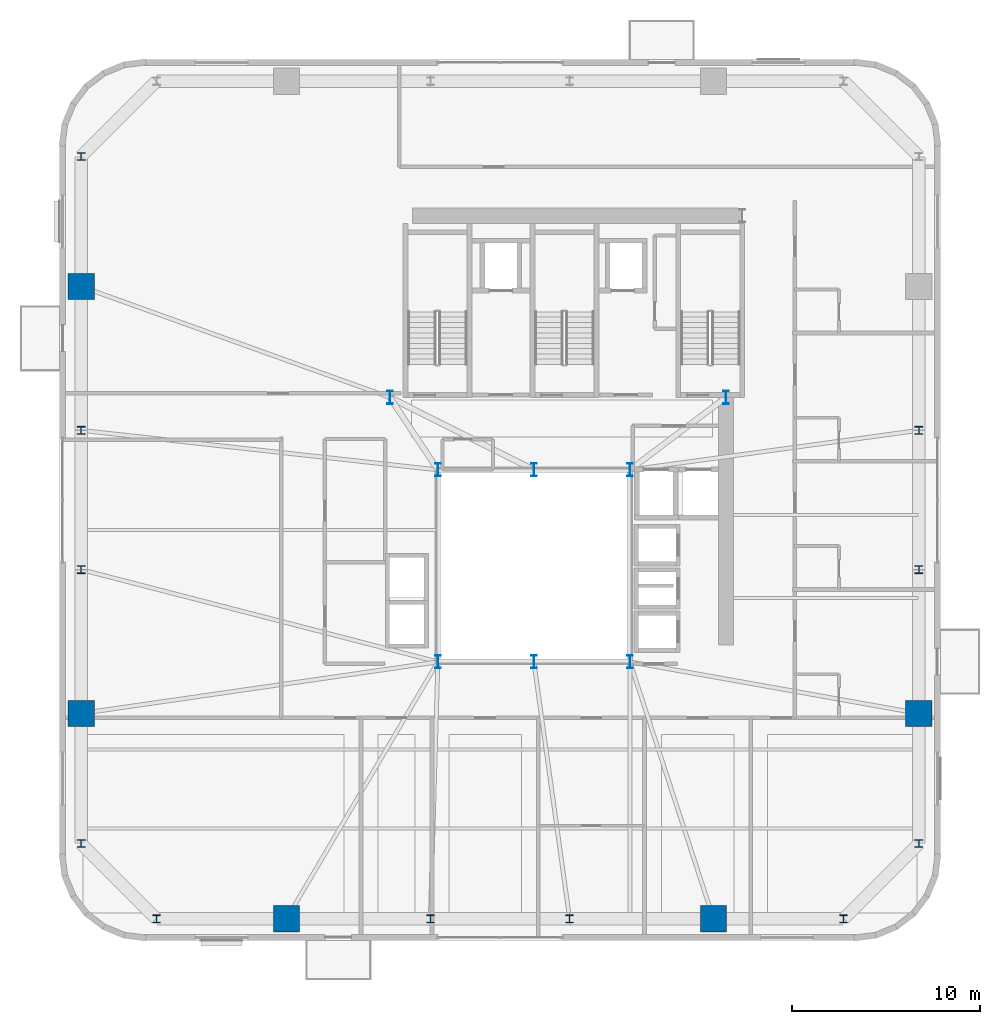
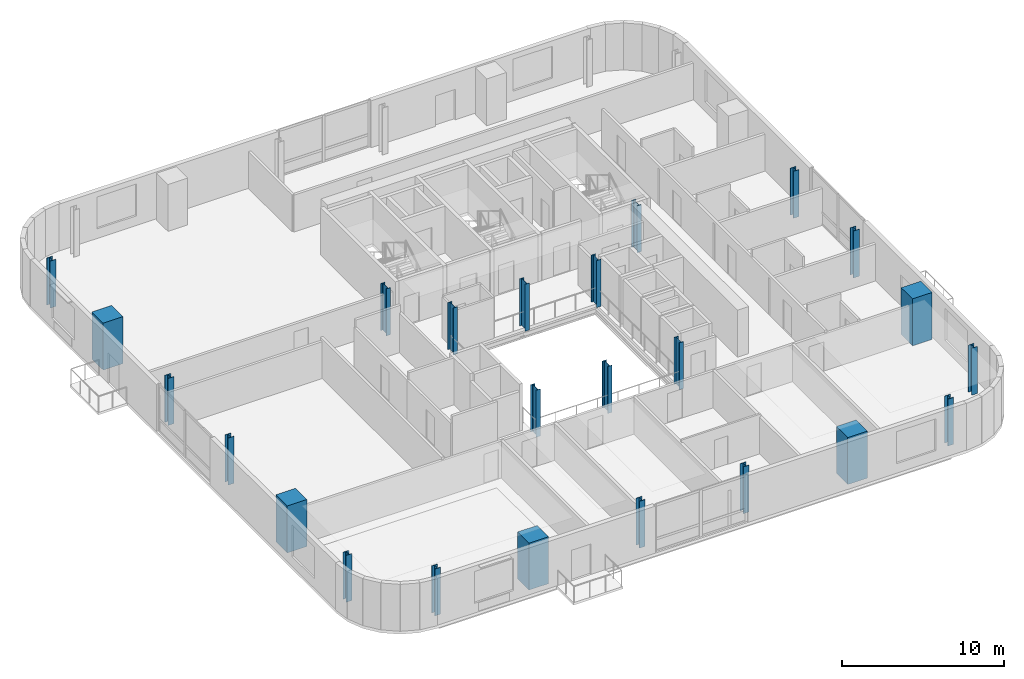
# One storey, part 1 of 16: 24 columns.
"""IFC4 building model written with IfcOpenShell, lengths in metres."""

from ifc_helpers import new_model, si_unit, direction, frame, origin, origin_2d, place, context, subcontext, project, spatial, rectangle, i_section, extrude, source, transform, mapped, material, material_profile, profile_set, type_object, element, save


model = new_model("IFC4")

# Units and contexts
model_context = context("Model", 3, precision=1e-05, world=origin(), true_north=direction((0.0, 1.0)))
body_context = subcontext(model_context, "Body", "Model", "MODEL_VIEW")
ifc_project = project(units=[si_unit("LENGTHUNIT", "METRE"), si_unit("AREAUNIT", "SQUARE_METRE"), si_unit("VOLUMEUNIT", "CUBIC_METRE"), si_unit("PLANEANGLEUNIT", "RADIAN"), si_unit("MASSUNIT", "GRAM", prefix="KILO")], contexts=[model_context])

# Site, building, storey
site_placement = place(None, origin())
site = spatial("IfcSite", under=ifc_project, at=site_placement, CompositionType="ELEMENT")
building_placement = place(site_placement, origin())
building = spatial("IfcBuilding", under=site, at=building_placement, Name="Vardaveli Station Tower", CompositionType="ELEMENT")
storey_placement = place(building_placement, frame((0.0, 0.0, 226.050048828125)))
storey = spatial("IfcBuildingStorey", under=building, at=storey_placement, Name="L58", CompositionType="ELEMENT", Elevation=226.050048828125)

# Columns
ifc_material_1 = material(Name="Structural steel S460M", Category="steel")
ifc_material_profile_1 = material_profile(ifc_material_1, i_section(OverallWidth=0.300048828125, OverallDepth=0.699951171875, WebThickness=0.01708984375, FlangeThickness=0.031982421875, FilletRadius=0.027099609375, at=origin_2d()), Name="HEB 700")
ifc_profile_set_1 = profile_set([ifc_material_profile_1], Name="Structural steel S460M")
column_type_1 = type_object("IfcColumnType", Name="COL-HEB700", PredefinedType="COLUMN", material=ifc_profile_set_1)
shared_shape_1 = source(origin(), body_context, "Body", "SweptSolid", [
    extrude(i_section(OverallWidth=0.300048828125, OverallDepth=0.699951171875, WebThickness=0.01708984375, FlangeThickness=0.031982421875, FilletRadius=0.027099609375, at=origin_2d()), origin(), (0.0, 0.0, 1.0), 3.530029296875),
])
for number, where, z_axis, x_axis, name in (
    (1, (31.199951171875, 16.60009765625, 0.0), (0.0, 0.0, 1.0), (1.0, 0.0, 0.0), "COL-L58-AC1"),
    (2, (36.300048828125, 16.60009765625, 0.0), (0.0, 0.0, 1.0), (1.0, 0.0, 0.0), "COL-L58-AC2"),
    (3, (41.39990234375, 16.60009765625, 0.0), (0.0, 0.0, 1.0), (1.0, 0.0, 0.0), "COL-L58-AC3"),
    (4, (41.39990234375, 26.800048828125, 0.0), (0.0, 0.0, 1.0), (1.0, 0.0, 0.0), "COL-L58-AC4"),
    (5, (36.300048828125, 26.800048828125, 0.0), (0.0, 0.0, 1.0), (1.0, 0.0, 0.0), "COL-L58-AC5"),
    (6, (31.199951171875, 26.800048828125, 0.0), (0.0, 0.0, 1.0), (1.0, 0.0, 0.0), "COL-L58-AC6"),
    (7, (28.64990234375, 30.64990234375, 0.0), (0.0, 0.0, 1.0), (1.0, 0.0, 0.0), "COL-L58-CC1"),
    (8, (46.5, 30.64990234375, 0.0), (0.0, 0.0, 1.0), (1.0, 0.0, 0.0), "COL-L58-CC2"),
):
    element("IfcColumn", number, at=place(storey_placement, frame(where, z_axis=z_axis, x_axis=x_axis)), inside=storey, type_object=column_type_1, Name=name, PredefinedType="COLUMN", context=body_context, shape_type="MappedRepresentation", body=[
        mapped(shared_shape_1, transform((0.0, 0.0, 0.0), scale=1.0)),
    ])
ifc_material_2 = material(Name="Concrete C50/60", Category="concrete")
ifc_material_profile_2 = material_profile(ifc_material_2, rectangle(XDim=1.39990234375, YDim=1.39990234375, at=origin_2d()), Name="MC 1400x1400")
ifc_profile_set_2 = profile_set([ifc_material_profile_2], Name="Concrete C50/60")
column_type_2 = type_object("IfcColumnType", Name="COL-MC-1400", PredefinedType="COLUMN", material=ifc_profile_set_2)
shared_shape_2 = source(origin(), body_context, "Body", "SweptSolid", [
    extrude(rectangle(XDim=1.39990234375, YDim=1.39990234375, at=origin_2d()), origin(), (0.0, 0.0, 1.0), 3.530029296875),
])
for number, where, z_axis, x_axis, name in (
    (9, (23.159912109375, 2.949951171875, 0.0), (0.0, 0.0, 1.0), (1.0, 0.0, 0.0), "COL-L58-MC1"),
    (10, (45.840087890625, 2.949951171875, 0.0), (0.0, 0.0, 1.0), (1.0, 0.0, 0.0), "COL-L58-MC2"),
    (11, (56.75, 13.860107421875, 0.0), (0.0, 0.0, 1.0), (1.0, 0.0, 0.0), "COL-L58-MC3"),
    (12, (12.25, 36.5400390625, 0.0), (0.0, 0.0, 1.0), (1.0, 0.0, 0.0), "COL-L58-MC7"),
    (13, (12.25, 13.860107421875, 0.0), (0.0, 0.0, 1.0), (1.0, 0.0, 0.0), "COL-L58-MC8"),
):
    element("IfcColumn", number, at=place(storey_placement, frame(where, z_axis=z_axis, x_axis=x_axis)), inside=storey, type_object=column_type_2, Name=name, PredefinedType="COLUMN", context=body_context, shape_type="MappedRepresentation", body=[
        mapped(shared_shape_2, transform((0.0, 0.0, 0.0), scale=1.0)),
    ])
ifc_material_profile_3 = material_profile(ifc_material_1, i_section(OverallWidth=0.408935546875, OverallDepth=0.4169921875, WebThickness=0.021240234375, FlangeThickness=0.033203125, FilletRadius=0.014892578125, at=origin_2d()), Name="HD 400x347")
ifc_profile_set_3 = profile_set([ifc_material_profile_3], Name="Structural steel S460M")
column_type_3 = type_object("IfcColumnType", Name="COL-HD347", PredefinedType="COLUMN", material=ifc_profile_set_3)
shared_shape_3 = source(origin(), body_context, "Body", "SweptSolid", [
    extrude(i_section(OverallWidth=0.408935546875, OverallDepth=0.4169921875, WebThickness=0.021240234375, FlangeThickness=0.033203125, FilletRadius=0.014892578125, at=origin_2d()), origin(), (0.0, 0.0, 1.0), 3.530029296875),
])
for number, where, z_axis, x_axis, name in (
    (14, (16.25, 2.949951171875, 0.0), (0.0, 0.0, 1.0), (1.0, 0.0, 0.0), "COL-L58-PC01"),
    (15, (30.800048828125, 2.949951171875, 0.0), (0.0, 0.0, 1.0), (1.0, 0.0, 0.0), "COL-L58-PC02"),
    (16, (38.199951171875, 2.949951171875, 0.0), (0.0, 0.0, 1.0), (1.0, 0.0, 0.0), "COL-L58-PC03"),
    (17, (52.75, 2.949951171875, 0.0), (0.0, 0.0, 1.0), (1.0, 0.0, 0.0), "COL-L58-PC04"),
    (18, (56.75, 6.949951171875, 0.0), (0.0, 0.0, 1.0), (1.0, 0.0, 0.0), "COL-L58-PC05"),
    (19, (56.75, 21.5, 0.0), (0.0, 0.0, 1.0), (1.0, 0.0, 0.0), "COL-L58-PC06"),
    (20, (56.75, 28.89990234375, 0.0), (0.0, 0.0, 1.0), (1.0, 0.0, 0.0), "COL-L58-PC07"),
    (21, (12.25, 43.449951171875, 0.0), (0.0, 0.0, 1.0), (1.0, 0.0, 0.0), "COL-L58-PC13"),
    (22, (12.25, 28.89990234375, 0.0), (0.0, 0.0, 1.0), (1.0, 0.0, 0.0), "COL-L58-PC14"),
    (23, (12.25, 21.5, 0.0), (0.0, 0.0, 1.0), (1.0, 0.0, 0.0), "COL-L58-PC15"),
    (24, (12.25, 6.949951171875, 0.0), (0.0, 0.0, 1.0), (1.0, 0.0, 0.0), "COL-L58-PC16"),
):
    element("IfcColumn", number, at=place(storey_placement, frame(where, z_axis=z_axis, x_axis=x_axis)), inside=storey, type_object=column_type_3, Name=name, PredefinedType="COLUMN", context=body_context, shape_type="MappedRepresentation", body=[
        mapped(shared_shape_3, transform((0.0, 0.0, 0.0), scale=1.0)),
    ])

save(model, "model.ifc")
